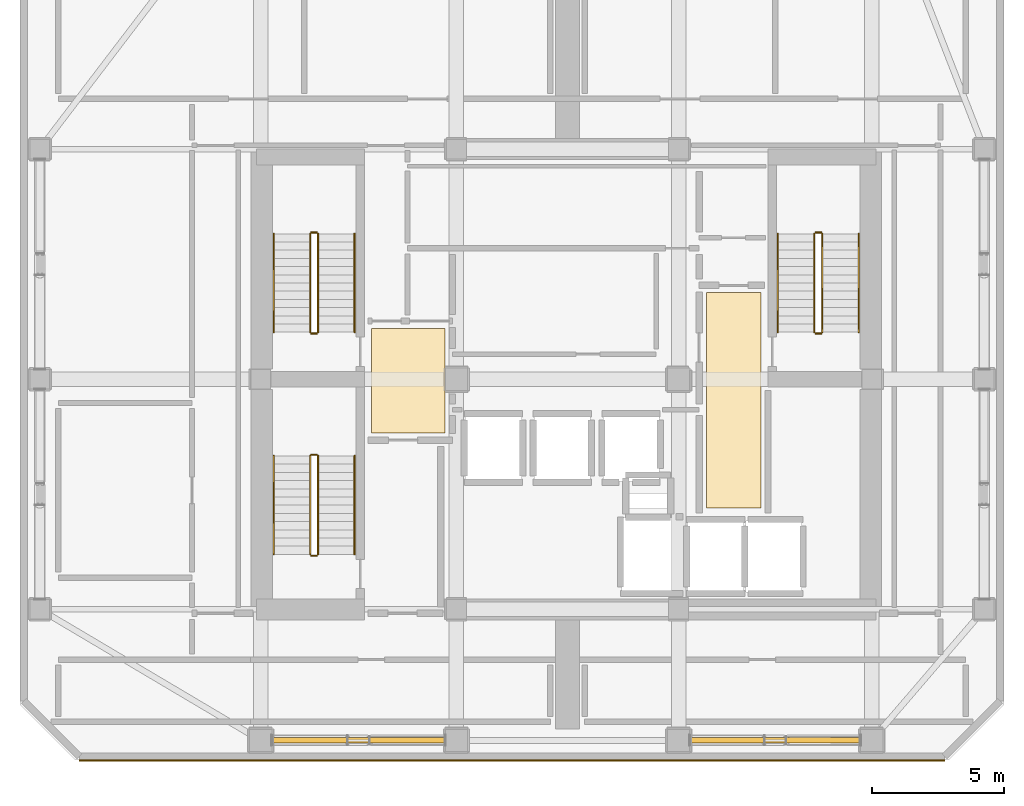
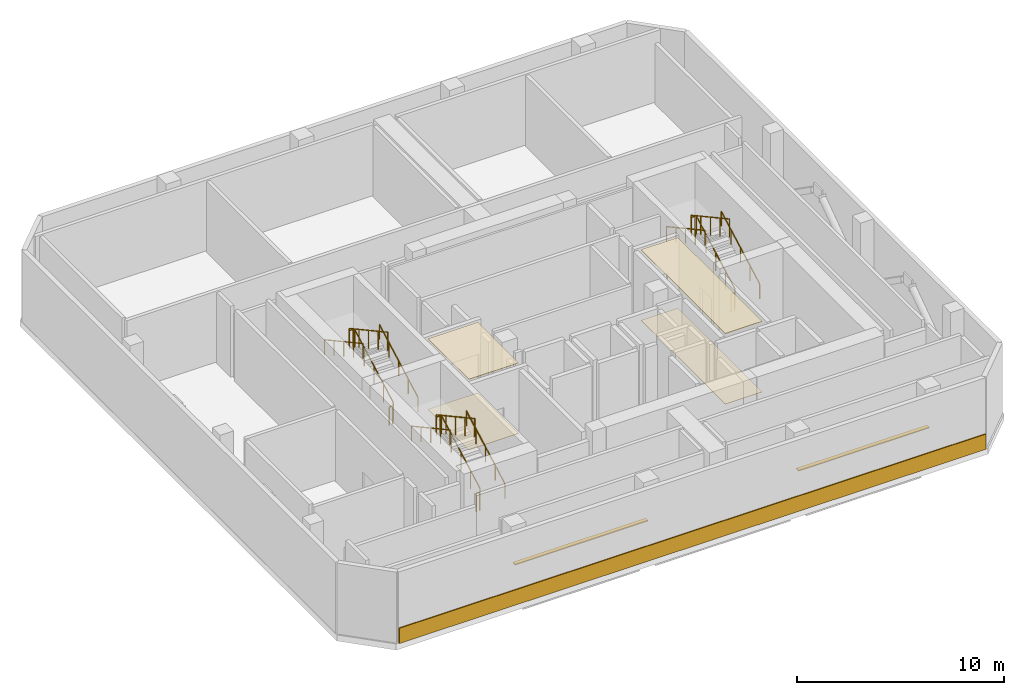
# One storey, part 12 of 13: 18 railings, 5 coverings, 2 shading devices.
"""IFC4 building model written with IfcOpenShell, lengths in metres."""

import ifcopenshell
import ifcopenshell.guid

model = None  # the IFC model being written
_history = None  # IfcOwnerHistory: only IFC2X3 demands one
_inside = {}  # id of a spatial element -> (the spatial element, [elements in it])
_under = {}  # id of a project, library or spatial element -> (it, [spatial elements below it])
_declared = {}  # id of a project -> (the project, [libraries it declares])
_typed = {}  # id of a type object -> (the type object, [elements of that type])
_made_of = {}  # id of a material, layer set ... -> (it, [elements and type objects made of it])


def new_model(schema):
    """Start an empty IFC model of exactly this schema.

    Asked for "IFC4X3", IfcOpenShell would pick the latest addendum, in which some entities
    have other attributes; the version numbers below select the first issue.
    IFC2X3 requires an IfcOwnerHistory on every rooted entity: one is made here for all.
    """
    global model, _history
    if schema == "IFC4X3":
        model = ifcopenshell.file(schema_version=(4, 3, 0, 0))
    else:
        model = ifcopenshell.file(schema=schema)
    _inside.clear()
    _under.clear()
    _declared.clear()
    _typed.clear()
    _made_of.clear()
    _history = None
    if model.schema == "IFC2X3":
        org = make("IfcOrganization", Name="unknown")
        user = make(
            "IfcPersonAndOrganization",
            ThePerson=make("IfcPerson", FamilyName="unknown"),
            TheOrganization=org,
        )
        app = make(
            "IfcApplication",
            ApplicationDeveloper=org,
            Version="unknown",
            ApplicationFullName="unknown",
            ApplicationIdentifier="unknown",
        )
        _history = make(
            "IfcOwnerHistory",
            OwningUser=user,
            OwningApplication=app,
            ChangeAction="ADDED",
            CreationDate=0,
        )
    return model


def make(cls, **values):
    """One entity of the class cls with the attributes given. An attribute that is None is left unset."""
    return model.create_entity(
        cls, **{name: value for name, value in values.items() if value is not None}
    )


def rooted(cls, **values):
    """An entity with a GlobalId (a new one), such as an element, a storey or a relation."""
    return make(cls, GlobalId=ifcopenshell.guid.new(), OwnerHistory=_history, **values)


def si_unit(unit_type, name, prefix=None):
    """IfcSIUnit, for example si_unit("LENGTHUNIT", "METRE", prefix="MILLI")."""
    return make("IfcSIUnit", UnitType=unit_type, Prefix=prefix, Name=name)


def assignment(units):
    """IfcUnitAssignment: the units of a project."""
    return None if units is None else make("IfcUnitAssignment", Units=units)


def point(xyz):
    """IfcCartesianPoint."""
    return None if xyz is None else make("IfcCartesianPoint", Coordinates=xyz)


def direction(xyz):
    """IfcDirection."""
    return None if xyz is None else make("IfcDirection", DirectionRatios=xyz)


def frame(location, z_axis=None, x_axis=None):
    """IfcAxis2Placement3D, a coordinate frame: its origin and axes. An axis left out is left unset."""
    return make(
        "IfcAxis2Placement3D",
        Location=point(location),
        Axis=direction(z_axis),
        RefDirection=direction(x_axis),
    )


def frame_2d(location, x_axis=None):
    """IfcAxis2Placement2D, a coordinate frame in the plane: its origin and x axis."""
    return make(
        "IfcAxis2Placement2D", Location=point(location), RefDirection=direction(x_axis)
    )


def origin():
    """The frame at (0, 0, 0) with its axes left unset."""
    return frame((0.0, 0.0, 0.0))


def origin_2d():
    """The frame at (0, 0) in the plane with its x axis left unset."""
    return frame_2d((0.0, 0.0))


def place(relative_to, where):
    """IfcLocalPlacement: puts the frame where relative to a parent placement (None: the world)."""
    return make(
        "IfcLocalPlacement", PlacementRelTo=relative_to, RelativePlacement=where
    )


def context(
    kind, dimensions, precision=None, world=None, true_north=None, identifier=None
):
    """IfcGeometricRepresentationContext, for example the 3D "Model" context."""
    return make(
        "IfcGeometricRepresentationContext",
        ContextIdentifier=identifier,
        ContextType=kind,
        CoordinateSpaceDimension=dimensions,
        Precision=precision,
        WorldCoordinateSystem=world,
        TrueNorth=true_north,
    )


def subcontext(parent, identifier, kind, view, scale=None):
    """IfcGeometricRepresentationSubContext, for example "Body" below "Model"."""
    return make(
        "IfcGeometricRepresentationSubContext",
        ContextIdentifier=identifier,
        ContextType=kind,
        ParentContext=parent,
        TargetScale=scale,
        TargetView=view,
    )


def project(units=None, contexts=None):
    """IfcProject with its units and contexts."""
    return rooted(
        "IfcProject",
        Name="project",
        RepresentationContexts=contexts,
        UnitsInContext=assignment(units),
    )


def spatial(cls, under=None, at=None, **own):
    """A site, building, storey or space (cls), placed at a placement, below another one or the project."""
    s = rooted(cls, ObjectPlacement=at, **own)
    if under is not None:
        _under.setdefault(under.id(), (under, []))[1].append(s)
    return s


def polyline(points):
    """IfcPolyline through the points."""
    return make("IfcPolyline", Points=[point(p) for p in points])


def profile(cls, at=None, kind="AREA", **sizes):
    """A parametric profile (cls). Its sizes go by their IFC names, for example OverallWidth=200.0."""
    return make(cls, ProfileType=kind, Position=at, **sizes)


def rectangle(**sizes):
    """IfcRectangleProfileDef."""
    return profile("IfcRectangleProfileDef", **sizes)


def outline(outer, holes=None, kind="AREA"):
    """IfcArbitraryClosedProfileDef: a profile drawn as a closed curve; with holes, ...WithVoids."""
    if holes is None:
        return make("IfcArbitraryClosedProfileDef", ProfileType=kind, OuterCurve=outer)
    return make(
        "IfcArbitraryProfileDefWithVoids",
        ProfileType=kind,
        OuterCurve=outer,
        InnerCurves=holes,
    )


def extrude(swept, where, along, depth):
    """IfcExtrudedAreaSolid: the profile swept, set in the frame where, extruded along a direction by depth."""
    return make(
        "IfcExtrudedAreaSolid",
        SweptArea=swept,
        Position=where,
        ExtrudedDirection=direction(along),
        Depth=depth,
    )


def shape(context_of_items, identifier, shape_type, items):
    """IfcShapeRepresentation: the items that make up one representation, for example the "Body"."""
    return make(
        "IfcShapeRepresentation",
        ContextOfItems=context_of_items,
        RepresentationIdentifier=identifier,
        RepresentationType=shape_type,
        Items=items,
    )


def material(Name=None, Category=None):
    """IfcMaterial."""
    return make("IfcMaterial", Name=Name, Category=Category)


def layer(
    of_material, thickness, ventilated=None, Name=None, Category=None, Priority=None
):
    """IfcMaterialLayer: one layer of a wall or slab, of a material (None: an air gap)."""
    return make(
        "IfcMaterialLayer",
        Material=of_material,
        LayerThickness=thickness,
        IsVentilated=ventilated,
        Name=Name,
        Category=Category,
        Priority=Priority,
    )


def layer_set(layers, Name=None):
    """IfcMaterialLayerSet."""
    return make("IfcMaterialLayerSet", MaterialLayers=layers, LayerSetName=Name)


def made_of(thing, what):
    """Note that an element or type object is made of a material, layer set ...; save() writes the relation."""
    if what is not None:
        _made_of.setdefault(what.id(), (what, []))[1].append(thing)
    return thing


def type_object(cls, material=None, **own):
    """A type object (cls), such as IfcWallType, which elements share."""
    return made_of(rooted(cls, **own), material)


def element(
    cls,
    number,
    at=None,
    inside=None,
    cuts=None,
    type_object=None,
    material=None,
    context=None,
    identifier="Body",
    shape_type=None,
    held_by="IfcProductDefinitionShape",
    body=None,
    shapes=None,
    **own,
):
    """One element of the class cls, such as IfcWall. Its Tag is "e" and its number.

    at: its placement. inside: the storey or other place that contains it. cuts: it is an
    opening in that element (IfcRelVoidsElement). A single representation is given by context,
    identifier, shape_type and body (its items); several are given by shapes. held_by: the class
    of the entity that holds the representations. save() writes the other relations.
    """
    e = rooted(cls, Tag="e%d" % number, ObjectPlacement=at, **own)
    if body is not None:
        shapes = [shape(context, identifier, shape_type, body)]
    if shapes is not None:
        e.Representation = make(held_by, Representations=shapes)
    if inside is not None:
        _inside.setdefault(inside.id(), (inside, []))[1].append(e)
    if cuts is not None:
        rooted(
            "IfcRelVoidsElement", RelatingBuildingElement=cuts, RelatedOpeningElement=e
        )
    if type_object is not None:
        _typed.setdefault(type_object.id(), (type_object, []))[1].append(e)
    return made_of(e, material)


def aggregate(whole, parts):
    """IfcRelAggregates: a whole, such as a stair, and the parts it consists of."""
    return rooted("IfcRelAggregates", RelatingObject=whole, RelatedObjects=parts)


def save(model, path):
    """Write the relations noted so far, then the file.

    IfcRelAggregates (storeys below a building ...), IfcRelContainedInSpatialStructure (elements
    in a storey), IfcRelDefinesByType, IfcRelAssociatesMaterial and IfcRelDeclares: one each for
    every whole, place, type object, material and project.
    """
    for whole, parts in _under.values():
        aggregate(whole, parts)
    for where, things in _inside.values():
        rooted(
            "IfcRelContainedInSpatialStructure",
            RelatedElements=things,
            RelatingStructure=where,
        )
    for kind, things in _typed.values():
        rooted("IfcRelDefinesByType", RelatedObjects=things, RelatingType=kind)
    for what, things in _made_of.values():
        rooted("IfcRelAssociatesMaterial", RelatedObjects=things, RelatingMaterial=what)
    for by, libraries in _declared.values():
        rooted("IfcRelDeclares", RelatingContext=by, RelatedDefinitions=libraries)
    model.write(path)


model = new_model("IFC4")

# Units and contexts
model_context = context("Model", 3, precision=1e-05, world=origin(), true_north=direction((0.0, 1.0)))
body_context = subcontext(model_context, "Body", "Model", "MODEL_VIEW")
ifc_project = project(units=[si_unit("LENGTHUNIT", "METRE"), si_unit("AREAUNIT", "SQUARE_METRE"), si_unit("VOLUMEUNIT", "CUBIC_METRE"), si_unit("PLANEANGLEUNIT", "RADIAN"), si_unit("MASSUNIT", "GRAM", prefix="KILO")], contexts=[model_context])

# Site, building, storey
site_placement = place(None, origin())
site = spatial("IfcSite", under=ifc_project, at=site_placement, CompositionType="ELEMENT")
building_placement = place(site_placement, origin())
building = spatial("IfcBuilding", under=site, at=building_placement, Name="Solanera Arch Residences", CompositionType="ELEMENT")
storey_placement = place(building_placement, frame((0.0, 0.0, 257.840087890625)))
storey = spatial("IfcBuildingStorey", under=building, at=storey_placement, Name="L75", CompositionType="ELEMENT", Elevation=257.840087890625)

# Coverings
ifc_material_1 = material(Name="Porcelain Acoustic Floor Tile", Category="ceramic")
ifc_layer_1 = layer(ifc_material_1, 0.02001953125)
ifc_layer_set_1 = layer_set([ifc_layer_1], Name="Porcelain Acoustic Floor Tile")
covering_type_1 = type_object("IfcCoveringType", Name="Porcelain Acoustic Floor Finish FLR-20", PredefinedType="FLOORING", material=ifc_layer_set_1)
covering_1_placement = place(storey_placement, origin())
element("IfcCovering", 1, at=covering_1_placement, inside=storey, type_object=covering_type_1, Name="L75-FFL-W Porcelain Floor Finish", PredefinedType="FLOORING", context=body_context, shape_type="SweptSolid", body=[
    extrude(outline(polyline([(20.375, 28.675048828125), (17.594970703125, 28.675048828125), (17.594970703125, 32.625), (20.375, 32.625), (20.375, 28.675048828125)])), origin(), (0.0, 0.0, 1.0), 0.02001953125),
])
covering_2_placement = place(storey_placement, origin())
element("IfcCovering", 2, at=covering_2_placement, inside=storey, type_object=covering_type_1, Name="L75-FFL-E Porcelain Floor Finish", PredefinedType="FLOORING", context=body_context, shape_type="SweptSolid", body=[
    extrude(outline(polyline([(32.304931640625, 25.824951171875), (30.25, 25.824951171875), (30.25, 33.97509765625), (32.304931640625, 33.97509765625), (32.304931640625, 25.824951171875)])), origin(), (0.0, 0.0, 1.0), 0.02001953125),
])
ifc_material_2 = material(Name="Philippine Adobe Travertine Cladding", Category="masonry")
ifc_layer_2 = layer(ifc_material_2, 0.06005859375)
ifc_layer_set_2 = layer_set([ifc_layer_2], Name="Philippine Adobe Travertine Cladding")
covering_type_2 = type_object("IfcCoveringType", Name="Precast Pier Stone Cladding CLD-60", PredefinedType="CLADDING", material=ifc_layer_set_2)
covering_3_placement = place(storey_placement, frame((39.2548828125, 16.284912109375, 0.0), z_axis=(0.0, 0.0, 1.0), x_axis=(-1.0, 0.0, 0.0)))
element("IfcCovering", 3, at=covering_3_placement, inside=storey, type_object=covering_type_2, Name="L75 S Precast Spandrel Stone Band", PredefinedType="CLADDING", context=body_context, shape_type="SweptSolid", body=[
    extrude(rectangle(XDim=32.7099609375, YDim=0.06005859375, at=frame_2d((16.35498046875, 0.0))), origin(), (0.0, 0.0, 1.0), 0.89990234375),
])

# Railings
ifc_material_3 = material(Name="Steel S355 (ASTM A992 / A572 Grade 50)", Category="steel")
railing_type_1 = type_object("IfcRailingType", Name="Stair Guardrail GR-1100", PredefinedType="GUARDRAIL", material=ifc_material_3)
railing_1_placement = place(storey_placement, frame((15.570068359375, 32.47998046875, 0.154052734375)))
element("IfcRailing", 4, at=railing_1_placement, inside=storey, type_object=railing_type_1, Name="L75 ST-T1 stair guard 1", PredefinedType="GUARDRAIL", context=body_context, shape_type="SweptSolid", body=[
    extrude(rectangle(XDim=0.048095703125, YDim=0.048095703125, at=origin_2d()), frame((0.0, 0.0, 1.076171875), z_axis=(0.0, 0.877728207833, 0.479158839191), x_axis=(-1.0, 0.0, 0.0)), (0.0, 0.0, 1.0), 4.23828125),
    extrude(rectangle(XDim=0.0419921875, YDim=0.0419921875, at=origin_2d()), origin(), (0.0, 0.0, 1.0), 1.052001953125),
    extrude(rectangle(XDim=0.0419921875, YDim=0.0419921875, at=origin_2d()), frame((0.0, 0.929931640625, 0.5078125)), (0.0, 0.0, 1.0), 1.052001953125),
    extrude(rectangle(XDim=0.0419921875, YDim=0.0419921875, at=origin_2d()), frame((0.0, 1.85986328125, 1.015380859375)), (0.0, 0.0, 1.0), 1.052001953125),
    extrude(rectangle(XDim=0.0419921875, YDim=0.0419921875, at=origin_2d()), frame((0.0, 2.7900390625, 1.52294921875)), (0.0, 0.0, 1.0), 1.052001953125),
    extrude(rectangle(XDim=0.0419921875, YDim=0.0419921875, at=origin_2d()), frame((0.0, 3.719970703125, 2.03076171875)), (0.0, 0.0, 1.0), 1.052001953125),
])
railing_2_placement = place(storey_placement, frame((15.52001953125, 36.25, 2.184814453125)))
element("IfcRailing", 5, at=railing_2_placement, inside=storey, type_object=railing_type_1, Name="L75 ST-T1 stair guard 2", PredefinedType="GUARDRAIL", context=body_context, shape_type="SweptSolid", body=[
    extrude(rectangle(XDim=0.048095703125, YDim=0.048095703125, at=origin_2d()), frame((0.0, 0.0, 1.076171875), z_axis=(-1.0, 0.0, 0.0), x_axis=(0.0, -1.0, 0.0)), (0.0, 0.0, 1.0), 0.199951171875),
    extrude(rectangle(XDim=0.0419921875, YDim=0.0419921875, at=origin_2d()), origin(), (0.0, 0.0, 1.0), 1.052001953125),
    extrude(rectangle(XDim=0.0419921875, YDim=0.0419921875, at=origin_2d()), frame((-0.199951171875, 0.0, 0.0)), (0.0, 0.0, 1.0), 1.052001953125),
])
railing_3_placement = place(storey_placement, frame((15.27001953125, 36.199951171875, 2.35400390625)))
element("IfcRailing", 6, at=railing_3_placement, inside=storey, type_object=railing_type_1, Name="L75 ST-T1 stair guard 3", PredefinedType="GUARDRAIL", context=body_context, shape_type="SweptSolid", body=[
    extrude(rectangle(XDim=0.048095703125, YDim=0.048095703125, at=origin_2d()), frame((0.0, 0.0, 1.076171875), z_axis=(0.0, -0.877703980351, 0.479203216679), x_axis=(1.0, 0.0, 0.0)), (0.0, 0.0, 1.0), 4.23828125),
    extrude(rectangle(XDim=0.0419921875, YDim=0.0419921875, at=origin_2d()), origin(), (0.0, 0.0, 1.0), 1.052001953125),
    extrude(rectangle(XDim=0.0419921875, YDim=0.0419921875, at=origin_2d()), frame((0.0, -0.929931640625, 0.5078125)), (0.0, 0.0, 1.0), 1.052001953125),
    extrude(rectangle(XDim=0.0419921875, YDim=0.0419921875, at=origin_2d()), frame((0.0, -1.85986328125, 1.015625)), (0.0, 0.0, 1.0), 1.052001953125),
    extrude(rectangle(XDim=0.0419921875, YDim=0.0419921875, at=origin_2d()), frame((0.0, -2.7900390625, 1.523193359375)), (0.0, 0.0, 1.0), 1.052001953125),
    extrude(rectangle(XDim=0.0419921875, YDim=0.0419921875, at=origin_2d()), frame((0.0, -3.719970703125, 2.031005859375)), (0.0, 0.0, 1.0), 1.052001953125),
])
railing_4_placement = place(storey_placement, frame((15.52001953125, 32.429931640625, -0.01513671875)))
element("IfcRailing", 7, at=railing_4_placement, inside=storey, type_object=railing_type_1, Name="L75 ST-T1 stair guard 4", PredefinedType="GUARDRAIL", context=body_context, shape_type="SweptSolid", body=[
    extrude(rectangle(XDim=0.048095703125, YDim=0.048095703125, at=origin_2d()), frame((0.0, 0.0, 1.076171875), z_axis=(-1.0, 0.0, 0.0), x_axis=(0.0, -1.0, 0.0)), (0.0, 0.0, 1.0), 0.199951171875),
    extrude(rectangle(XDim=0.0419921875, YDim=0.0419921875, at=origin_2d()), origin(), (0.0, 0.0, 1.0), 1.052001953125),
    extrude(rectangle(XDim=0.0419921875, YDim=0.0419921875, at=origin_2d()), frame((-0.199951171875, 0.0, 0.0)), (0.0, 0.0, 1.0), 1.052001953125),
])
railing_5_placement = place(storey_placement, frame((34.6298828125, 32.47998046875, 0.154052734375)))
element("IfcRailing", 8, at=railing_5_placement, inside=storey, type_object=railing_type_1, Name="L75 ST-T2 stair guard 1", PredefinedType="GUARDRAIL", context=body_context, shape_type="SweptSolid", body=[
    extrude(rectangle(XDim=0.048095703125, YDim=0.048095703125, at=origin_2d()), frame((0.0, 0.0, 1.076171875), z_axis=(0.0, 0.877728207833, 0.479158839191), x_axis=(-1.0, 0.0, 0.0)), (0.0, 0.0, 1.0), 4.23828125),
    extrude(rectangle(XDim=0.0419921875, YDim=0.0419921875, at=origin_2d()), origin(), (0.0, 0.0, 1.0), 1.052001953125),
    extrude(rectangle(XDim=0.0419921875, YDim=0.0419921875, at=origin_2d()), frame((0.0, 0.929931640625, 0.5078125)), (0.0, 0.0, 1.0), 1.052001953125),
    extrude(rectangle(XDim=0.0419921875, YDim=0.0419921875, at=origin_2d()), frame((0.0, 1.85986328125, 1.015380859375)), (0.0, 0.0, 1.0), 1.052001953125),
    extrude(rectangle(XDim=0.0419921875, YDim=0.0419921875, at=origin_2d()), frame((0.0, 2.7900390625, 1.52294921875)), (0.0, 0.0, 1.0), 1.052001953125),
    extrude(rectangle(XDim=0.0419921875, YDim=0.0419921875, at=origin_2d()), frame((0.0, 3.719970703125, 2.03076171875)), (0.0, 0.0, 1.0), 1.052001953125),
])
railing_6_placement = place(storey_placement, frame((34.580078125, 36.25, 2.184814453125)))
element("IfcRailing", 9, at=railing_6_placement, inside=storey, type_object=railing_type_1, Name="L75 ST-T2 stair guard 2", PredefinedType="GUARDRAIL", context=body_context, shape_type="SweptSolid", body=[
    extrude(rectangle(XDim=0.048095703125, YDim=0.048095703125, at=origin_2d()), frame((0.0, 0.0, 1.076171875), z_axis=(-1.0, 0.0, 0.0), x_axis=(0.0, -1.0, 0.0)), (0.0, 0.0, 1.0), 0.2001953125),
    extrude(rectangle(XDim=0.0419921875, YDim=0.0419921875, at=origin_2d()), origin(), (0.0, 0.0, 1.0), 1.052001953125),
    extrude(rectangle(XDim=0.0419921875, YDim=0.0419921875, at=origin_2d()), frame((-0.2001953125, 0.0, 0.0)), (0.0, 0.0, 1.0), 1.052001953125),
])
railing_7_placement = place(storey_placement, frame((34.330078125, 36.199951171875, 2.35400390625)))
element("IfcRailing", 10, at=railing_7_placement, inside=storey, type_object=railing_type_1, Name="L75 ST-T2 stair guard 3", PredefinedType="GUARDRAIL", context=body_context, shape_type="SweptSolid", body=[
    extrude(rectangle(XDim=0.048095703125, YDim=0.048095703125, at=origin_2d()), frame((0.0, 0.0, 1.076171875), z_axis=(0.0, -0.877703980351, 0.479203216679), x_axis=(1.0, 0.0, 0.0)), (0.0, 0.0, 1.0), 4.23828125),
    extrude(rectangle(XDim=0.0419921875, YDim=0.0419921875, at=origin_2d()), origin(), (0.0, 0.0, 1.0), 1.052001953125),
    extrude(rectangle(XDim=0.0419921875, YDim=0.0419921875, at=origin_2d()), frame((0.0, -0.929931640625, 0.5078125)), (0.0, 0.0, 1.0), 1.052001953125),
    extrude(rectangle(XDim=0.0419921875, YDim=0.0419921875, at=origin_2d()), frame((0.0, -1.85986328125, 1.015625)), (0.0, 0.0, 1.0), 1.052001953125),
    extrude(rectangle(XDim=0.0419921875, YDim=0.0419921875, at=origin_2d()), frame((0.0, -2.7900390625, 1.523193359375)), (0.0, 0.0, 1.0), 1.052001953125),
    extrude(rectangle(XDim=0.0419921875, YDim=0.0419921875, at=origin_2d()), frame((0.0, -3.719970703125, 2.031005859375)), (0.0, 0.0, 1.0), 1.052001953125),
])
railing_8_placement = place(storey_placement, frame((34.580078125, 32.429931640625, -0.01513671875)))
element("IfcRailing", 11, at=railing_8_placement, inside=storey, type_object=railing_type_1, Name="L75 ST-T2 stair guard 4", PredefinedType="GUARDRAIL", context=body_context, shape_type="SweptSolid", body=[
    extrude(rectangle(XDim=0.048095703125, YDim=0.048095703125, at=origin_2d()), frame((0.0, 0.0, 1.076171875), z_axis=(-1.0, 0.0, 0.0), x_axis=(0.0, -1.0, 0.0)), (0.0, 0.0, 1.0), 0.2001953125),
    extrude(rectangle(XDim=0.0419921875, YDim=0.0419921875, at=origin_2d()), origin(), (0.0, 0.0, 1.0), 1.052001953125),
    extrude(rectangle(XDim=0.0419921875, YDim=0.0419921875, at=origin_2d()), frame((-0.2001953125, 0.0, 0.0)), (0.0, 0.0, 1.0), 1.052001953125),
])
railing_9_placement = place(storey_placement, frame((15.570068359375, 24.080078125, 0.154052734375)))
element("IfcRailing", 12, at=railing_9_placement, inside=storey, type_object=railing_type_1, Name="L75 ST-T3 stair guard 1", PredefinedType="GUARDRAIL", context=body_context, shape_type="SweptSolid", body=[
    extrude(rectangle(XDim=0.048095703125, YDim=0.048095703125, at=origin_2d()), frame((0.0, 0.0, 1.076171875), z_axis=(0.0, 0.877728207833, 0.479158839191), x_axis=(-1.0, 0.0, 0.0)), (0.0, 0.0, 1.0), 4.23828125),
    extrude(rectangle(XDim=0.0419921875, YDim=0.0419921875, at=origin_2d()), origin(), (0.0, 0.0, 1.0), 1.052001953125),
    extrude(rectangle(XDim=0.0419921875, YDim=0.0419921875, at=origin_2d()), frame((0.0, 0.929931640625, 0.5078125)), (0.0, 0.0, 1.0), 1.052001953125),
    extrude(rectangle(XDim=0.0419921875, YDim=0.0419921875, at=origin_2d()), frame((0.0, 1.85986328125, 1.015380859375)), (0.0, 0.0, 1.0), 1.052001953125),
    extrude(rectangle(XDim=0.0419921875, YDim=0.0419921875, at=origin_2d()), frame((0.0, 2.7900390625, 1.52294921875)), (0.0, 0.0, 1.0), 1.052001953125),
    extrude(rectangle(XDim=0.0419921875, YDim=0.0419921875, at=origin_2d()), frame((0.0, 3.719970703125, 2.03076171875)), (0.0, 0.0, 1.0), 1.052001953125),
])
railing_10_placement = place(storey_placement, frame((15.52001953125, 27.85009765625, 2.184814453125)))
element("IfcRailing", 13, at=railing_10_placement, inside=storey, type_object=railing_type_1, Name="L75 ST-T3 stair guard 2", PredefinedType="GUARDRAIL", context=body_context, shape_type="SweptSolid", body=[
    extrude(rectangle(XDim=0.048095703125, YDim=0.048095703125, at=origin_2d()), frame((0.0, 0.0, 1.076171875), z_axis=(-1.0, 0.0, 0.0), x_axis=(0.0, -1.0, 0.0)), (0.0, 0.0, 1.0), 0.199951171875),
    extrude(rectangle(XDim=0.0419921875, YDim=0.0419921875, at=origin_2d()), origin(), (0.0, 0.0, 1.0), 1.052001953125),
    extrude(rectangle(XDim=0.0419921875, YDim=0.0419921875, at=origin_2d()), frame((-0.199951171875, 0.0, 0.0)), (0.0, 0.0, 1.0), 1.052001953125),
])
railing_11_placement = place(storey_placement, frame((15.27001953125, 27.800048828125, 2.35400390625)))
element("IfcRailing", 14, at=railing_11_placement, inside=storey, type_object=railing_type_1, Name="L75 ST-T3 stair guard 3", PredefinedType="GUARDRAIL", context=body_context, shape_type="SweptSolid", body=[
    extrude(rectangle(XDim=0.048095703125, YDim=0.048095703125, at=origin_2d()), frame((0.0, 0.0, 1.076171875), z_axis=(0.0, -0.877703980351, 0.479203216679), x_axis=(1.0, 0.0, 0.0)), (0.0, 0.0, 1.0), 4.23828125),
    extrude(rectangle(XDim=0.0419921875, YDim=0.0419921875, at=origin_2d()), origin(), (0.0, 0.0, 1.0), 1.052001953125),
    extrude(rectangle(XDim=0.0419921875, YDim=0.0419921875, at=origin_2d()), frame((0.0, -0.929931640625, 0.5078125)), (0.0, 0.0, 1.0), 1.052001953125),
    extrude(rectangle(XDim=0.0419921875, YDim=0.0419921875, at=origin_2d()), frame((0.0, -1.85986328125, 1.015625)), (0.0, 0.0, 1.0), 1.052001953125),
    extrude(rectangle(XDim=0.0419921875, YDim=0.0419921875, at=origin_2d()), frame((0.0, -2.7900390625, 1.523193359375)), (0.0, 0.0, 1.0), 1.052001953125),
    extrude(rectangle(XDim=0.0419921875, YDim=0.0419921875, at=origin_2d()), frame((0.0, -3.719970703125, 2.031005859375)), (0.0, 0.0, 1.0), 1.052001953125),
])
railing_12_placement = place(storey_placement, frame((15.52001953125, 24.030029296875, -0.01513671875)))
element("IfcRailing", 15, at=railing_12_placement, inside=storey, type_object=railing_type_1, Name="L75 ST-T3 stair guard 4", PredefinedType="GUARDRAIL", context=body_context, shape_type="SweptSolid", body=[
    extrude(rectangle(XDim=0.048095703125, YDim=0.048095703125, at=origin_2d()), frame((0.0, 0.0, 1.076171875), z_axis=(-1.0, 0.0, 0.0), x_axis=(0.0, -1.0, 0.0)), (0.0, 0.0, 1.0), 0.199951171875),
    extrude(rectangle(XDim=0.0419921875, YDim=0.0419921875, at=origin_2d()), origin(), (0.0, 0.0, 1.0), 1.052001953125),
    extrude(rectangle(XDim=0.0419921875, YDim=0.0419921875, at=origin_2d()), frame((-0.199951171875, 0.0, 0.0)), (0.0, 0.0, 1.0), 1.052001953125),
])
ifc_material_4 = material(Name="Steel S355 (ASTM A992 / A572 Grade 50)", Category="steel")
railing_type_2 = type_object("IfcRailingType", Name="Stair Wall Handrail HR-920", PredefinedType="HANDRAIL", material=ifc_material_4)
railing_13_placement = place(storey_placement, frame((16.949951171875, 32.47998046875, 0.169189453125)))
element("IfcRailing", 16, at=railing_13_placement, inside=storey, type_object=railing_type_2, Name="L75 ST-T1 stair handrail 1", PredefinedType="HANDRAIL", context=body_context, shape_type="SweptSolid", body=[
    extrude(rectangle(XDim=0.048095703125, YDim=0.048095703125, at=origin_2d()), frame((0.0, 0.0, 0.8759765625), z_axis=(0.0, 0.877728207833, 0.479158839191), x_axis=(-1.0, 0.0, 0.0)), (0.0, 0.0, 1.0), 4.23828125),
    extrude(rectangle(XDim=0.0419921875, YDim=0.0419921875, at=origin_2d()), origin(), (0.0, 0.0, 1.0), 0.851806640625),
    extrude(rectangle(XDim=0.0419921875, YDim=0.0419921875, at=origin_2d()), frame((0.0, 0.929931640625, 0.5078125)), (0.0, 0.0, 1.0), 0.851806640625),
    extrude(rectangle(XDim=0.0419921875, YDim=0.0419921875, at=origin_2d()), frame((0.0, 1.85986328125, 1.015380859375)), (0.0, 0.0, 1.0), 0.851806640625),
    extrude(rectangle(XDim=0.0419921875, YDim=0.0419921875, at=origin_2d()), frame((0.0, 2.7900390625, 1.52294921875)), (0.0, 0.0, 1.0), 0.851806640625),
    extrude(rectangle(XDim=0.0419921875, YDim=0.0419921875, at=origin_2d()), frame((0.0, 3.719970703125, 2.03076171875)), (0.0, 0.0, 1.0), 0.851806640625),
])
railing_14_placement = place(storey_placement, frame((13.889892578125, 36.199951171875, 2.369140625)))
element("IfcRailing", 17, at=railing_14_placement, inside=storey, type_object=railing_type_2, Name="L75 ST-T1 stair handrail 2", PredefinedType="HANDRAIL", context=body_context, shape_type="SweptSolid", body=[
    extrude(rectangle(XDim=0.048095703125, YDim=0.048095703125, at=origin_2d()), frame((0.0, 0.0, 0.8759765625), z_axis=(0.0, -0.877728207833, 0.479158839191), x_axis=(1.0, 0.0, 0.0)), (0.0, 0.0, 1.0), 4.23828125),
    extrude(rectangle(XDim=0.0419921875, YDim=0.0419921875, at=origin_2d()), origin(), (0.0, 0.0, 1.0), 0.851806640625),
    extrude(rectangle(XDim=0.0419921875, YDim=0.0419921875, at=origin_2d()), frame((0.0, -0.929931640625, 0.5078125)), (0.0, 0.0, 1.0), 0.851806640625),
    extrude(rectangle(XDim=0.0419921875, YDim=0.0419921875, at=origin_2d()), frame((0.0, -1.85986328125, 1.015380859375)), (0.0, 0.0, 1.0), 0.851806640625),
    extrude(rectangle(XDim=0.0419921875, YDim=0.0419921875, at=origin_2d()), frame((0.0, -2.7900390625, 1.52294921875)), (0.0, 0.0, 1.0), 0.851806640625),
    extrude(rectangle(XDim=0.0419921875, YDim=0.0419921875, at=origin_2d()), frame((0.0, -3.719970703125, 2.03076171875)), (0.0, 0.0, 1.0), 0.851806640625),
])
railing_15_placement = place(storey_placement, frame((36.010009765625, 32.47998046875, 0.169189453125)))
element("IfcRailing", 18, at=railing_15_placement, inside=storey, type_object=railing_type_2, Name="L75 ST-T2 stair handrail 1", PredefinedType="HANDRAIL", context=body_context, shape_type="SweptSolid", body=[
    extrude(rectangle(XDim=0.048095703125, YDim=0.048095703125, at=origin_2d()), frame((0.0, 0.0, 0.8759765625), z_axis=(0.0, 0.877728207833, 0.479158839191), x_axis=(-1.0, 0.0, 0.0)), (0.0, 0.0, 1.0), 4.23828125),
    extrude(rectangle(XDim=0.0419921875, YDim=0.0419921875, at=origin_2d()), origin(), (0.0, 0.0, 1.0), 0.851806640625),
    extrude(rectangle(XDim=0.0419921875, YDim=0.0419921875, at=origin_2d()), frame((0.0, 0.929931640625, 0.5078125)), (0.0, 0.0, 1.0), 0.851806640625),
    extrude(rectangle(XDim=0.0419921875, YDim=0.0419921875, at=origin_2d()), frame((0.0, 1.85986328125, 1.015380859375)), (0.0, 0.0, 1.0), 0.851806640625),
    extrude(rectangle(XDim=0.0419921875, YDim=0.0419921875, at=origin_2d()), frame((0.0, 2.7900390625, 1.52294921875)), (0.0, 0.0, 1.0), 0.851806640625),
    extrude(rectangle(XDim=0.0419921875, YDim=0.0419921875, at=origin_2d()), frame((0.0, 3.719970703125, 2.03076171875)), (0.0, 0.0, 1.0), 0.851806640625),
])
railing_16_placement = place(storey_placement, frame((32.949951171875, 36.199951171875, 2.369140625)))
element("IfcRailing", 19, at=railing_16_placement, inside=storey, type_object=railing_type_2, Name="L75 ST-T2 stair handrail 2", PredefinedType="HANDRAIL", context=body_context, shape_type="SweptSolid", body=[
    extrude(rectangle(XDim=0.048095703125, YDim=0.048095703125, at=origin_2d()), frame((0.0, 0.0, 0.8759765625), z_axis=(0.0, -0.877728207833, 0.479158839191), x_axis=(1.0, 0.0, 0.0)), (0.0, 0.0, 1.0), 4.23828125),
    extrude(rectangle(XDim=0.0419921875, YDim=0.0419921875, at=origin_2d()), origin(), (0.0, 0.0, 1.0), 0.851806640625),
    extrude(rectangle(XDim=0.0419921875, YDim=0.0419921875, at=origin_2d()), frame((0.0, -0.929931640625, 0.5078125)), (0.0, 0.0, 1.0), 0.851806640625),
    extrude(rectangle(XDim=0.0419921875, YDim=0.0419921875, at=origin_2d()), frame((0.0, -1.85986328125, 1.015380859375)), (0.0, 0.0, 1.0), 0.851806640625),
    extrude(rectangle(XDim=0.0419921875, YDim=0.0419921875, at=origin_2d()), frame((0.0, -2.7900390625, 1.52294921875)), (0.0, 0.0, 1.0), 0.851806640625),
    extrude(rectangle(XDim=0.0419921875, YDim=0.0419921875, at=origin_2d()), frame((0.0, -3.719970703125, 2.03076171875)), (0.0, 0.0, 1.0), 0.851806640625),
])
railing_17_placement = place(storey_placement, frame((16.949951171875, 24.080078125, 0.169189453125)))
element("IfcRailing", 20, at=railing_17_placement, inside=storey, type_object=railing_type_2, Name="L75 ST-T3 stair handrail 1", PredefinedType="HANDRAIL", context=body_context, shape_type="SweptSolid", body=[
    extrude(rectangle(XDim=0.048095703125, YDim=0.048095703125, at=origin_2d()), frame((0.0, 0.0, 0.8759765625), z_axis=(0.0, 0.877728207833, 0.479158839191), x_axis=(-1.0, 0.0, 0.0)), (0.0, 0.0, 1.0), 4.23828125),
    extrude(rectangle(XDim=0.0419921875, YDim=0.0419921875, at=origin_2d()), origin(), (0.0, 0.0, 1.0), 0.851806640625),
    extrude(rectangle(XDim=0.0419921875, YDim=0.0419921875, at=origin_2d()), frame((0.0, 0.929931640625, 0.5078125)), (0.0, 0.0, 1.0), 0.851806640625),
    extrude(rectangle(XDim=0.0419921875, YDim=0.0419921875, at=origin_2d()), frame((0.0, 1.85986328125, 1.015380859375)), (0.0, 0.0, 1.0), 0.851806640625),
    extrude(rectangle(XDim=0.0419921875, YDim=0.0419921875, at=origin_2d()), frame((0.0, 2.7900390625, 1.52294921875)), (0.0, 0.0, 1.0), 0.851806640625),
    extrude(rectangle(XDim=0.0419921875, YDim=0.0419921875, at=origin_2d()), frame((0.0, 3.719970703125, 2.03076171875)), (0.0, 0.0, 1.0), 0.851806640625),
])
railing_18_placement = place(storey_placement, frame((13.889892578125, 27.800048828125, 2.369140625)))
element("IfcRailing", 21, at=railing_18_placement, inside=storey, type_object=railing_type_2, Name="L75 ST-T3 stair handrail 2", PredefinedType="HANDRAIL", context=body_context, shape_type="SweptSolid", body=[
    extrude(rectangle(XDim=0.048095703125, YDim=0.048095703125, at=origin_2d()), frame((0.0, 0.0, 0.8759765625), z_axis=(0.0, -0.877728207833, 0.479158839191), x_axis=(1.0, 0.0, 0.0)), (0.0, 0.0, 1.0), 4.23828125),
    extrude(rectangle(XDim=0.0419921875, YDim=0.0419921875, at=origin_2d()), origin(), (0.0, 0.0, 1.0), 0.851806640625),
    extrude(rectangle(XDim=0.0419921875, YDim=0.0419921875, at=origin_2d()), frame((0.0, -0.929931640625, 0.5078125)), (0.0, 0.0, 1.0), 0.851806640625),
    extrude(rectangle(XDim=0.0419921875, YDim=0.0419921875, at=origin_2d()), frame((0.0, -1.85986328125, 1.015380859375)), (0.0, 0.0, 1.0), 0.851806640625),
    extrude(rectangle(XDim=0.0419921875, YDim=0.0419921875, at=origin_2d()), frame((0.0, -2.7900390625, 1.52294921875)), (0.0, 0.0, 1.0), 0.851806640625),
    extrude(rectangle(XDim=0.0419921875, YDim=0.0419921875, at=origin_2d()), frame((0.0, -3.719970703125, 2.03076171875)), (0.0, 0.0, 1.0), 0.851806640625),
])

# Coverings
ifc_material_5 = material(Name="Mineral Fibre Acoustic Ceiling Board", Category="gypsum")
ifc_layer_3 = layer(ifc_material_5, 0.02490234375)
ifc_layer_set_3 = layer_set([ifc_layer_3], Name="Mineral Fibre Acoustic Ceiling Board")
covering_type_3 = type_object("IfcCoveringType", Name="Suspended Acoustic Ceiling Board CLG-25", PredefinedType="CEILING", material=ifc_layer_set_3)
covering_4_placement = place(storey_placement, frame((0.0, 0.0, 4.155029296875)))
element("IfcCovering", 22, at=covering_4_placement, inside=storey, type_object=covering_type_3, Name="L75-FFL-W Acoustic Ceiling", PredefinedType="CEILING", context=body_context, shape_type="SweptSolid", body=[
    extrude(outline(polyline([(20.375, 28.675048828125), (17.594970703125, 28.675048828125), (17.594970703125, 32.625), (20.375, 32.625), (20.375, 28.675048828125)])), origin(), (0.0, 0.0, 1.0), 0.02490234375),
])
covering_5_placement = place(storey_placement, frame((0.0, 0.0, 4.155029296875)))
element("IfcCovering", 23, at=covering_5_placement, inside=storey, type_object=covering_type_3, Name="L75-FFL-E Acoustic Ceiling", PredefinedType="CEILING", context=body_context, shape_type="SweptSolid", body=[
    extrude(outline(polyline([(32.304931640625, 25.824951171875), (30.25, 25.824951171875), (30.25, 33.97509765625), (32.304931640625, 33.97509765625), (32.304931640625, 25.824951171875)])), origin(), (0.0, 0.0, 1.0), 0.02490234375),
])

# Shading devices
ifc_material_6 = material(Name="Anodised Aluminium Alloy 6063-T6", Category="aluminium")
shading_device_type = type_object("IfcShadingDeviceType", Name="Aluminium Acoustic Brise-Soleil Louvre LV-200", PredefinedType="JALOUSIE", material=ifc_material_6)
shading_device_1_placement = place(storey_placement, frame((17.10009765625, 17.050048828125, 1.800048828125)))
element("IfcShadingDevice", 24, at=shading_device_1_placement, inside=storey, type_object=shading_device_type, material=ifc_material_6, Name="L75 Outrigger Acoustic Louvre Screen 5", PredefinedType="JALOUSIE", context=body_context, shape_type="SweptSolid", body=[
    extrude(rectangle(XDim=7.4, YDim=0.22, at=origin_2d()), origin(), (0.0, 0.0, 1.0), 0.06),
])
shading_device_2_placement = place(storey_placement, frame((32.85009765625, 17.050048828125, 1.800048828125)))
element("IfcShadingDevice", 25, at=shading_device_2_placement, inside=storey, type_object=shading_device_type, material=ifc_material_6, Name="L75 Outrigger Acoustic Louvre Screen 6", PredefinedType="JALOUSIE", context=body_context, shape_type="SweptSolid", body=[
    extrude(rectangle(XDim=7.300000000000001, YDim=0.22, at=origin_2d()), origin(), (0.0, 0.0, 1.0), 0.06),
])

save(model, "model.ifc")
